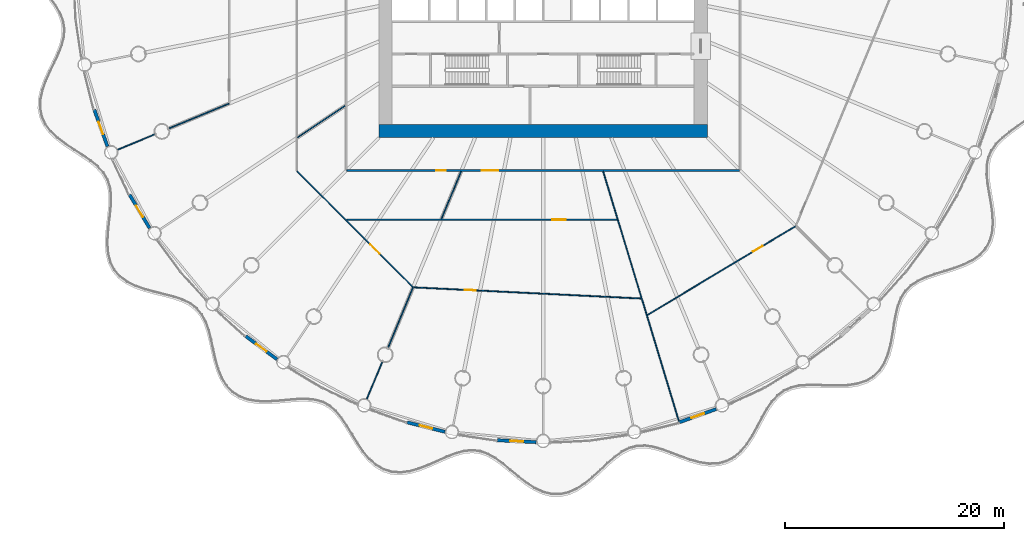
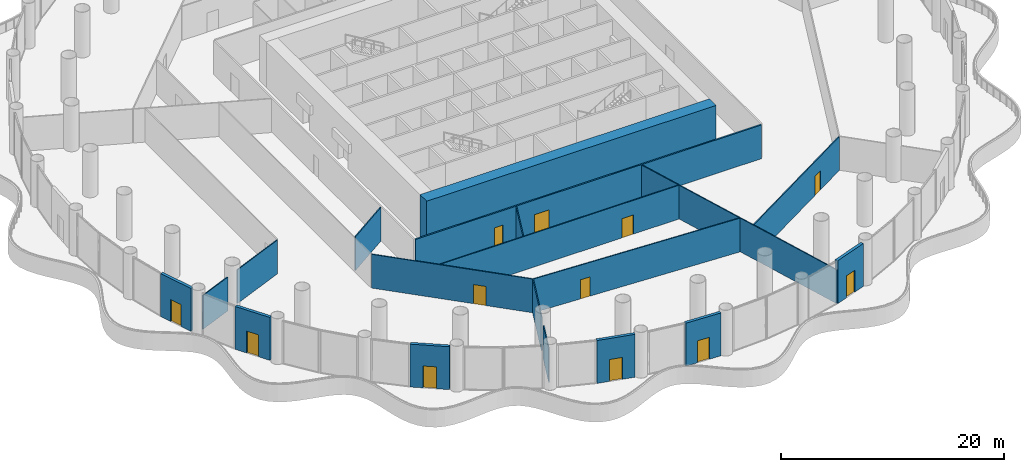
# One storey, part 22 of 35: 19 walls, 12 doors, 12 openings.
"""IFC4 building model written with IfcOpenShell, lengths in metres."""

from ifc_helpers import new_model, si_unit, direction, frame, frame_2d, origin, place, context, subcontext, project, spatial, rectangle, extrude, material, layer, layer_set, type_object, element, fill, save


model = new_model("IFC4")

# Units and contexts
model_context = context("Model", 3, precision=1e-05, world=origin(), true_north=direction((0.0, 1.0)))
body_context = subcontext(model_context, "Body", "Model", "MODEL_VIEW")
ifc_project = project(units=[si_unit("LENGTHUNIT", "METRE"), si_unit("AREAUNIT", "SQUARE_METRE"), si_unit("VOLUMEUNIT", "CUBIC_METRE"), si_unit("PLANEANGLEUNIT", "RADIAN"), si_unit("MASSUNIT", "GRAM", prefix="KILO")], contexts=[model_context])

# Site, building, storey
site_placement = place(None, origin())
site = spatial("IfcSite", under=ifc_project, at=site_placement, CompositionType="ELEMENT")
building_placement = place(site_placement, origin())
building = spatial("IfcBuilding", under=site, at=building_placement, Name="Corvane Civic Tower", CompositionType="ELEMENT")
storey_placement = place(building_placement, frame((0.0, 0.0, 27.0)))
storey = spatial("IfcBuildingStorey", under=building, at=storey_placement, Name="L05", CompositionType="ELEMENT", Elevation=27.0)

# Wall
ifc_material_1 = material(Name="Concrete C80/95", Category="concrete")
ifc_layer_1 = layer(ifc_material_1, 1.199951171875)
ifc_layer_set_1 = layer_set([ifc_layer_1], Name="Concrete C80/95")
wall_type_1 = type_object("IfcWallType", Name="CORE WALL 1200 C80/95", PredefinedType="SHEAR", material=ifc_layer_set_1)
wall_1_placement = place(storey_placement, frame((-15.0, -14.39990234375, 0.0), z_axis=(0.0, 0.0, 1.0), x_axis=(1.0, 0.0, 0.0)))
element("IfcWall", 1, at=wall_1_placement, inside=storey, type_object=wall_type_1, Name="W-L05-core-S", PredefinedType="SHEAR", context=body_context, shape_type="SweptSolid", body=[
    extrude(rectangle(XDim=30.0, YDim=1.199951171875, at=frame_2d((15.0, 0.0))), origin(), (0.0, 0.0, 1.0), 5.0),
])

# Wall, opening, door
ifc_material_2 = material(Name="Terracotta cladding", Category="masonry")
ifc_layer_2 = layer(ifc_material_2, 0.300048828125)
ifc_layer_set_2 = layer_set([ifc_layer_2], Name="Terracotta cladding")
wall_type_2 = type_object("IfcWallType", Name="PODIUM-W-DRUMDOOR-300", PredefinedType="SOLIDWALL", material=ifc_layer_set_2)
wall_2_placement = place(storey_placement, frame((15.80224609375, -39.80126953125, 0.0), z_axis=(0.0, 0.0, 1.0), x_axis=(-0.941550911926, -0.336870717414, 0.0)))
wall_2 = element("IfcWall", 2, at=wall_2_placement, inside=storey, type_object=wall_type_2, Name="L05 drum door bay wall 15", PredefinedType="SOLIDWALL", context=body_context, shape_type="SweptSolid", body=[
    extrude(rectangle(XDim=3.559814453125, YDim=0.300048828125, at=frame_2d((1.77978515625, 0.0))), origin(), (0.0, 0.0, 1.0), 4.699951171875),
])
opening_1_placement = place(wall_2_placement, frame((1.179931640625, 0.0, 0.0)))
opening_1 = element("IfcOpeningElement", 3, at=opening_1_placement, cuts=wall_2, Name="Opening ED-L05-15", PredefinedType="OPENING", context=body_context, shape_type="SweptSolid", body=[
    extrude(rectangle(XDim=1.199951171875, YDim=2.39990234375, at=frame_2d((0.60009765625, 1.199951171875))), frame((0.0, 0.159912109375, 0.0), z_axis=(0.0, -1.0, 0.0), x_axis=(1.0, 0.0, 0.0)), (0.0, 0.0, 1.0), 0.320068359375),
])
ifc_material_3 = material(Name="Anodised aluminium and glass", Category="aluminium")
door_type_1 = type_object("IfcDoorType", Name="PODIUM-D-BALCONY-1200", OperationType="SINGLE_SWING_LEFT", PredefinedType="DOOR", material=ifc_material_3)
door_1_placement = place(opening_1_placement, origin())
door_1 = element("IfcDoor", 4, at=door_1_placement, inside=storey, type_object=door_type_1, Name="L05 balcony door 15", OperationType="SINGLE_SWING_LEFT", OverallHeight=2.39990234375, OverallWidth=1.199951171875, PredefinedType="DOOR", context=body_context, shape_type="SweptSolid", body=[
    extrude(rectangle(XDim=1.199951171875, YDim=2.39990234375, at=frame_2d((0.60009765625, 1.199951171875))), frame((0.0, 0.02490234375, 0.0), z_axis=(0.0, -1.0, 0.0), x_axis=(1.0, 0.0, 0.0)), (0.0, 0.0, 1.0), 0.050048828125),
])
fill(opening_1, door_1)

wall_3_placement = place(storey_placement, frame((-0.6318359375, -42.81884765625, 0.0), z_axis=(0.0, 0.0, 1.0), x_axis=(-0.998793719427, 0.049103014495, 0.0)))
wall_3 = element("IfcWall", 5, at=wall_3_placement, inside=storey, type_object=wall_type_2, Name="L05 drum door bay wall 17", PredefinedType="SOLIDWALL", context=body_context, shape_type="SweptSolid", body=[
    extrude(rectangle(XDim=3.56005859375, YDim=0.300048828125, at=frame_2d((1.780029296875, 0.0))), origin(), (0.0, 0.0, 1.0), 4.699951171875),
])
opening_2_placement = place(wall_3_placement, frame((1.179931640625, 0.0, 0.0)))
opening_2 = element("IfcOpeningElement", 6, at=opening_2_placement, cuts=wall_3, Name="Opening ED-L05-17", PredefinedType="OPENING", context=body_context, shape_type="SweptSolid", body=[
    extrude(rectangle(XDim=1.199951171875, YDim=2.39990234375, at=frame_2d((0.60009765625, 1.199951171875))), frame((0.0, 0.159912109375, 0.0), z_axis=(0.0, -1.0, 0.0), x_axis=(1.0, 0.0, 0.0)), (0.0, 0.0, 1.0), 0.320068359375),
])
door_2_placement = place(opening_2_placement, origin())
door_2 = element("IfcDoor", 7, at=door_2_placement, inside=storey, type_object=door_type_1, Name="L05 balcony door 17", OperationType="SINGLE_SWING_LEFT", OverallHeight=2.39990234375, OverallWidth=1.199951171875, PredefinedType="DOOR", context=body_context, shape_type="SweptSolid", body=[
    extrude(rectangle(XDim=1.199951171875, YDim=2.39990234375, at=frame_2d((0.60009765625, 1.199951171875))), frame((0.0, 0.02490234375, 0.0), z_axis=(0.0, -1.0, 0.0), x_axis=(1.0, 0.0, 0.0)), (0.0, 0.0, 1.0), 0.050048828125),
])
fill(opening_2, door_2)

wall_4_placement = place(storey_placement, frame((-8.973388671875, -41.872802734375, 0.0), z_axis=(0.0, 0.0, 1.0), x_axis=(-0.970025385974, 0.243003601959, 0.0)))
wall_4 = element("IfcWall", 8, at=wall_4_placement, inside=storey, type_object=wall_type_2, Name="L05 drum door bay wall 18", PredefinedType="SOLIDWALL", context=body_context, shape_type="SweptSolid", body=[
    extrude(rectangle(XDim=3.5595703125, YDim=0.300048828125, at=frame_2d((1.77978515625, 0.0))), origin(), (0.0, 0.0, 1.0), 4.699951171875),
])
opening_3_placement = place(wall_4_placement, frame((1.179931640625, 0.0, 0.0)))
opening_3 = element("IfcOpeningElement", 9, at=opening_3_placement, cuts=wall_4, Name="Opening ED-L05-18", PredefinedType="OPENING", context=body_context, shape_type="SweptSolid", body=[
    extrude(rectangle(XDim=1.199951171875, YDim=2.39990234375, at=frame_2d((0.60009765625, 1.199951171875))), frame((0.0, 0.159912109375, 0.0), z_axis=(0.0, -1.0, 0.0), x_axis=(1.0, 0.0, 0.0)), (0.0, 0.0, 1.0), 0.320068359375),
])
door_3_placement = place(opening_3_placement, origin())
door_3 = element("IfcDoor", 10, at=door_3_placement, inside=storey, type_object=door_type_1, Name="L05 balcony door 18", OperationType="SINGLE_SWING_RIGHT", OverallHeight=2.39990234375, OverallWidth=1.199951171875, PredefinedType="DOOR", context=body_context, shape_type="SweptSolid", body=[
    extrude(rectangle(XDim=1.199951171875, YDim=2.39990234375, at=frame_2d((0.60009765625, 1.199951171875))), frame((0.0, 0.02490234375, 0.0), z_axis=(0.0, -1.0, 0.0), x_axis=(1.0, 0.0, 0.0)), (0.0, 0.0, 1.0), 0.050048828125),
])
fill(opening_3, door_3)

wall_5_placement = place(storey_placement, frame((-24.314208984375, -35.25146484375, 0.0), z_axis=(0.0, 0.0, 1.0), x_axis=(-0.803190124061, 0.595722774963, 0.0)))
wall_5 = element("IfcWall", 11, at=wall_5_placement, inside=storey, type_object=wall_type_2, Name="L05 drum door bay wall 20", PredefinedType="SOLIDWALL", context=body_context, shape_type="SweptSolid", body=[
    extrude(rectangle(XDim=3.559814453125, YDim=0.300048828125, at=frame_2d((1.77978515625, 0.0))), origin(), (0.0, 0.0, 1.0), 4.699951171875),
])
opening_4_placement = place(wall_5_placement, frame((1.179931640625, 0.0, 0.0)))
opening_4 = element("IfcOpeningElement", 12, at=opening_4_placement, cuts=wall_5, Name="Opening ED-L05-20", PredefinedType="OPENING", context=body_context, shape_type="SweptSolid", body=[
    extrude(rectangle(XDim=1.199951171875, YDim=2.39990234375, at=frame_2d((0.60009765625, 1.199951171875))), frame((0.0, 0.159912109375, 0.0), z_axis=(0.0, -1.0, 0.0), x_axis=(1.0, 0.0, 0.0)), (0.0, 0.0, 1.0), 0.320068359375),
])
door_4_placement = place(opening_4_placement, origin())
door_4 = element("IfcDoor", 13, at=door_4_placement, inside=storey, type_object=door_type_1, Name="L05 balcony door 20", OperationType="SINGLE_SWING_RIGHT", OverallHeight=2.39990234375, OverallWidth=1.199951171875, PredefinedType="DOOR", context=body_context, shape_type="SweptSolid", body=[
    extrude(rectangle(XDim=1.199951171875, YDim=2.39990234375, at=frame_2d((0.60009765625, 1.199951171875))), frame((0.0, 0.02490234375, 0.0), z_axis=(0.0, -1.0, 0.0), x_axis=(1.0, 0.0, 0.0)), (0.0, 0.0, 1.0), 0.050048828125),
])
fill(opening_4, door_4)

wall_6_placement = place(storey_placement, frame((-35.95361328125, -23.26318359375, 0.0), z_axis=(0.0, 0.0, 1.0), x_axis=(-0.514142680525, 0.85770467182, 0.0)))
wall_6 = element("IfcWall", 14, at=wall_6_placement, inside=storey, type_object=wall_type_2, Name="L05 drum door bay wall 22", PredefinedType="SOLIDWALL", context=body_context, shape_type="SweptSolid", body=[
    extrude(rectangle(XDim=3.5595703125, YDim=0.300048828125, at=frame_2d((1.77978515625, 0.0))), origin(), (0.0, 0.0, 1.0), 4.699951171875),
])
opening_5_placement = place(wall_6_placement, frame((1.179931640625, 0.0, 0.0)))
opening_5 = element("IfcOpeningElement", 15, at=opening_5_placement, cuts=wall_6, Name="Opening ED-L05-22", PredefinedType="OPENING", context=body_context, shape_type="SweptSolid", body=[
    extrude(rectangle(XDim=1.199951171875, YDim=2.39990234375, at=frame_2d((0.60009765625, 1.199951171875))), frame((0.0, 0.159912109375, 0.0), z_axis=(0.0, -1.0, 0.0), x_axis=(1.0, 0.0, 0.0)), (0.0, 0.0, 1.0), 0.320068359375),
])
door_5_placement = place(opening_5_placement, origin())
door_5 = element("IfcDoor", 16, at=door_5_placement, inside=storey, type_object=door_type_1, Name="L05 balcony door 22", OperationType="SINGLE_SWING_RIGHT", OverallHeight=2.39990234375, OverallWidth=1.199951171875, PredefinedType="DOOR", context=body_context, shape_type="SweptSolid", body=[
    extrude(rectangle(XDim=1.199951171875, YDim=2.39990234375, at=frame_2d((0.60009765625, 1.199951171875))), frame((0.0, 0.02490234375, 0.0), z_axis=(0.0, -1.0, 0.0), x_axis=(1.0, 0.0, 0.0)), (0.0, 0.0, 1.0), 0.050048828125),
])
fill(opening_5, door_5)

wall_7_placement = place(storey_placement, frame((-39.80126953125, -15.80224609375, 0.0), z_axis=(0.0, 0.0, 1.0), x_axis=(-0.336870717414, 0.941550911926, 0.0)))
wall_7 = element("IfcWall", 17, at=wall_7_placement, inside=storey, type_object=wall_type_2, Name="L05 drum door bay wall 23", PredefinedType="SOLIDWALL", context=body_context, shape_type="SweptSolid", body=[
    extrude(rectangle(XDim=3.559814453125, YDim=0.300048828125, at=frame_2d((1.77978515625, 0.0))), origin(), (0.0, 0.0, 1.0), 4.699951171875),
])
opening_6_placement = place(wall_7_placement, frame((1.179931640625, 0.0, 0.0)))
opening_6 = element("IfcOpeningElement", 18, at=opening_6_placement, cuts=wall_7, Name="Opening ED-L05-23", PredefinedType="OPENING", context=body_context, shape_type="SweptSolid", body=[
    extrude(rectangle(XDim=1.199951171875, YDim=2.39990234375, at=frame_2d((0.60009765625, 1.199951171875))), frame((0.0, 0.159912109375, 0.0), z_axis=(0.0, -1.0, 0.0), x_axis=(1.0, 0.0, 0.0)), (0.0, 0.0, 1.0), 0.320068359375),
])
door_6_placement = place(opening_6_placement, origin())
door_6 = element("IfcDoor", 19, at=door_6_placement, inside=storey, type_object=door_type_1, Name="L05 balcony door 23", OperationType="SINGLE_SWING_LEFT", OverallHeight=2.39990234375, OverallWidth=1.199951171875, PredefinedType="DOOR", context=body_context, shape_type="SweptSolid", body=[
    extrude(rectangle(XDim=1.199951171875, YDim=2.39990234375, at=frame_2d((0.60009765625, 1.199951171875))), frame((0.0, 0.02490234375, 0.0), z_axis=(0.0, -1.0, 0.0), x_axis=(1.0, 0.0, 0.0)), (0.0, 0.0, 1.0), 0.050048828125),
])
fill(opening_6, door_6)

# Walls
ifc_material_4 = material(Name="Plasterboard")
ifc_layer_3 = layer(ifc_material_4, 0.10009765625)
ifc_layer_set_3 = layer_set([ifc_layer_3], Name="Plasterboard")
wall_type_3 = type_object("IfcWallType", Name="Partition 100 plasterboard on studs", PredefinedType="PARTITIONING", material=ifc_layer_set_3)
wall_8_placement = place(storey_placement, frame((5.4873046875, -18.089599609375, 0.0), z_axis=(0.0, 0.0, 1.0), x_axis=(0.290288039911, -0.956939315675, 0.0)))
element("IfcWall", 20, at=wall_8_placement, inside=storey, type_object=wall_type_3, Name="Partition L05.001", PredefinedType="PARTITIONING", context=body_context, shape_type="SweptSolid", body=[
    extrude(rectangle(XDim=24.046630859375, YDim=0.10009765625, at=frame_2d((12.0234375, 0.0))), origin(), (0.0, 0.0, 1.0), 3.699951171875),
])
wall_9_placement = place(storey_placement, frame((-16.107177734375, -38.88623046875, 0.0), z_axis=(0.0, 0.0, 1.0), x_axis=(0.382720914215, 0.92386400613, 0.0)))
element("IfcWall", 21, at=wall_9_placement, inside=storey, type_object=wall_type_3, Name="Partition L05.002", PredefinedType="PARTITIONING", context=body_context, shape_type="SweptSolid", body=[
    extrude(rectangle(XDim=3.68017578125, YDim=0.10009765625, at=frame_2d((1.840087890625, 0.0))), origin(), (0.0, 0.0, 1.0), 3.699951171875),
])
wall_10_placement = place(storey_placement, frame((-14.155517578125, -34.17431640625, 0.0), z_axis=(0.0, 0.0, 1.0), x_axis=(0.382684503206, 0.923879088954, 0.0)))
element("IfcWall", 22, at=wall_10_placement, inside=storey, type_object=wall_type_3, Name="Partition L05.003", PredefinedType="PARTITIONING", context=body_context, shape_type="SweptSolid", body=[
    extrude(rectangle(XDim=5.919189453125, YDim=0.10009765625, at=frame_2d((2.95947265625, 0.0))), origin(), (0.0, 0.0, 1.0), 3.699951171875),
])

# Wall, opening, door
wall_11_placement = place(storey_placement, frame((9.529296875, -31.199462890625, 0.0), z_axis=(0.0, 0.0, 1.0), x_axis=(0.857725242107, 0.514108363143, 0.0)))
wall_11 = element("IfcWall", 23, at=wall_11_placement, inside=storey, type_object=wall_type_3, Name="Partition L05.004", PredefinedType="PARTITIONING", context=body_context, shape_type="SweptSolid", body=[
    extrude(rectangle(XDim=15.757568359375, YDim=0.10009765625, at=frame_2d((7.87890625, 0.0))), origin(), (0.0, 0.0, 1.0), 3.699951171875),
])
opening_7_placement = place(wall_11_placement, frame((11.2451171875, 0.0, 0.0)))
opening_7 = element("IfcOpeningElement", 24, at=opening_7_placement, cuts=wall_11, Name="Opening L05.014", PredefinedType="OPENING", context=body_context, shape_type="SweptSolid", body=[
    extrude(rectangle(XDim=1.0, YDim=2.10009765625, at=frame_2d((0.5, 1.050048828125))), frame((0.0, 0.06005859375, 0.0), z_axis=(0.0, -1.0, 0.0), x_axis=(1.0, 0.0, 0.0)), (0.0, 0.0, 1.0), 0.1201171875),
])
ifc_material_5 = material(Name="Timber", Category="wood")
door_type_2 = type_object("IfcDoorType", Name="Single door 1000", OperationType="NOTDEFINED", PredefinedType="DOOR", material=ifc_material_5)
door_7_placement = place(opening_7_placement, frame((1.0, 0.0, 0.0), z_axis=(0.0, 0.0, 1.0), x_axis=(-1.0, 0.0, 0.0)))
door_7 = element("IfcDoor", 25, at=door_7_placement, inside=storey, type_object=door_type_2, Name="Door L05.014", OperationType="SINGLE_SWING_RIGHT", OverallHeight=2.10009765625, OverallWidth=1.0, PredefinedType="DOOR", context=body_context, shape_type="SweptSolid", body=[
    extrude(rectangle(XDim=1.0, YDim=2.10009765625, at=frame_2d((0.5, 1.050048828125))), frame((0.0, 0.02490234375, 0.0), z_axis=(0.0, -1.0, 0.0), x_axis=(1.0, 0.0, 0.0)), (0.0, 0.0, 1.0), 0.050048828125),
])
fill(opening_7, door_7)

wall_12_placement = place(storey_placement, frame((-11.841796875, -28.675048828125, 0.0), z_axis=(0.0, 0.0, 1.0), x_axis=(0.998795129422, -0.049074325692, 0.0)))
wall_12 = element("IfcWall", 26, at=wall_12_placement, inside=storey, type_object=wall_type_3, Name="Partition L05.006", PredefinedType="PARTITIONING", context=body_context, shape_type="SweptSolid", body=[
    extrude(rectangle(XDim=20.80517578125, YDim=0.10009765625, at=frame_2d((10.402587890625, 0.0))), origin(), (0.0, 0.0, 1.0), 3.699951171875),
])
opening_8_placement = place(wall_12_placement, frame((4.706298828125, 0.0, 0.0)))
opening_8 = element("IfcOpeningElement", 27, at=opening_8_placement, cuts=wall_12, Name="Opening L05.016", PredefinedType="OPENING", context=body_context, shape_type="SweptSolid", body=[
    extrude(rectangle(XDim=1.0, YDim=2.10009765625, at=frame_2d((0.5, 1.050048828125))), frame((0.0, 0.06005859375, 0.0), z_axis=(0.0, -1.0, 0.0), x_axis=(1.0, 0.0, 0.0)), (0.0, 0.0, 1.0), 0.1201171875),
])
door_8_placement = place(opening_8_placement, frame((1.0, 0.0, 0.0), z_axis=(0.0, 0.0, 1.0), x_axis=(-1.0, 0.0, 0.0)))
door_8 = element("IfcDoor", 28, at=door_8_placement, inside=storey, type_object=door_type_2, Name="Door L05.016", OperationType="SINGLE_SWING_LEFT", OverallHeight=2.10009765625, OverallWidth=1.0, PredefinedType="DOOR", context=body_context, shape_type="SweptSolid", body=[
    extrude(rectangle(XDim=1.0, YDim=2.10009765625, at=frame_2d((0.5, 1.050048828125))), frame((0.0, 0.02490234375, 0.0), z_axis=(0.0, -1.0, 0.0), x_axis=(1.0, 0.0, 0.0)), (0.0, 0.0, 1.0), 0.050048828125),
])
fill(opening_8, door_8)

wall_13_placement = place(storey_placement, frame((-22.4853515625, -18.06494140625, 0.0), z_axis=(0.0, 0.0, 1.0), x_axis=(0.707106781187, -0.707106781187, 0.0)))
wall_13 = element("IfcWall", 29, at=wall_13_placement, inside=storey, type_object=wall_type_3, Name="Partition L05.007", PredefinedType="PARTITIONING", context=body_context, shape_type="SweptSolid", body=[
    extrude(rectangle(XDim=14.969482421875, YDim=0.10009765625, at=frame_2d((7.48486328125, 0.0))), origin(), (0.0, 0.0, 1.0), 3.699951171875),
])
opening_9_placement = place(wall_13_placement, frame((9.462158203125, 0.0, 0.0)))
opening_9 = element("IfcOpeningElement", 30, at=opening_9_placement, cuts=wall_13, Name="Opening L05.019", PredefinedType="OPENING", context=body_context, shape_type="SweptSolid", body=[
    extrude(rectangle(XDim=1.199951171875, YDim=2.10009765625, at=frame_2d((0.60009765625, 1.050048828125))), frame((0.0, 0.06005859375, 0.0), z_axis=(0.0, -1.0, 0.0), x_axis=(1.0, 0.0, 0.0)), (0.0, 0.0, 1.0), 0.1201171875),
])
ifc_material_6 = material(Name="Timber", Category="wood")
door_type_3 = type_object("IfcDoorType", Name="Double door 1200", OperationType="NOTDEFINED", PredefinedType="DOOR", material=ifc_material_6)
door_9_placement = place(opening_9_placement, frame((1.199951171875, 0.0, 0.0), z_axis=(0.0, 0.0, 1.0), x_axis=(-1.0, 0.0, 0.0)))
door_9 = element("IfcDoor", 31, at=door_9_placement, inside=storey, type_object=door_type_3, Name="Door L05.019", OperationType="DOUBLE_DOOR_SINGLE_SWING", OverallHeight=2.10009765625, OverallWidth=1.199951171875, PredefinedType="DOOR", context=body_context, shape_type="SweptSolid", body=[
    extrude(rectangle(XDim=1.199951171875, YDim=2.10009765625, at=frame_2d((0.60009765625, 1.050048828125))), frame((0.0, 0.02490234375, 0.0), z_axis=(0.0, -1.0, 0.0), x_axis=(1.0, 0.0, 0.0)), (0.0, 0.0, 1.0), 0.050048828125),
])
fill(opening_9, door_9)

wall_14_placement = place(storey_placement, frame((-17.9296875, -22.5, 0.0), z_axis=(0.0, 0.0, 1.0), x_axis=(1.0, 0.0, 0.0)))
wall_14 = element("IfcWall", 32, at=wall_14_placement, inside=storey, type_object=wall_type_3, Name="Partition L05.010", PredefinedType="PARTITIONING", context=body_context, shape_type="SweptSolid", body=[
    extrude(rectangle(XDim=24.6875, YDim=0.10009765625, at=frame_2d((12.34375, 0.0))), origin(), (0.0, 0.0, 1.0), 3.699951171875),
])
opening_10_placement = place(wall_14_placement, frame((18.779296875, 0.0, 0.0)))
opening_10 = element("IfcOpeningElement", 33, at=opening_10_placement, cuts=wall_14, Name="Opening L05.018", PredefinedType="OPENING", context=body_context, shape_type="SweptSolid", body=[
    extrude(rectangle(XDim=1.199951171875, YDim=2.10009765625, at=frame_2d((0.60009765625, 1.050048828125))), frame((0.0, 0.06005859375, 0.0), z_axis=(0.0, -1.0, 0.0), x_axis=(1.0, 0.0, 0.0)), (0.0, 0.0, 1.0), 0.1201171875),
])
door_10_placement = place(opening_10_placement, frame((1.199951171875, 0.0, 0.0), z_axis=(0.0, 0.0, 1.0), x_axis=(-1.0, 0.0, 0.0)))
door_10 = element("IfcDoor", 34, at=door_10_placement, inside=storey, type_object=door_type_3, Name="Door L05.018", OperationType="DOUBLE_DOOR_SINGLE_SWING", OverallHeight=2.10009765625, OverallWidth=1.199951171875, PredefinedType="DOOR", context=body_context, shape_type="SweptSolid", body=[
    extrude(rectangle(XDim=1.199951171875, YDim=2.10009765625, at=frame_2d((0.60009765625, 1.050048828125))), frame((0.0, 0.02490234375, 0.0), z_axis=(0.0, -1.0, 0.0), x_axis=(1.0, 0.0, 0.0)), (0.0, 0.0, 1.0), 0.050048828125),
])
fill(opening_10, door_10)

# Walls
wall_15_placement = place(storey_placement, frame((-9.291259765625, -22.430908203125, 0.0), z_axis=(0.0, 0.0, 1.0), x_axis=(0.38267944941, 0.923881182295, 0.0)))
element("IfcWall", 35, at=wall_15_placement, inside=storey, type_object=wall_type_3, Name="Partition L05.011", PredefinedType="PARTITIONING", context=body_context, shape_type="SweptSolid", body=[
    extrude(rectangle(XDim=4.6943359375, YDim=0.10009765625, at=frame_2d((2.34716796875, 0.0))), origin(), (0.0, 0.0, 1.0), 3.699951171875),
])
wall_16_placement = place(storey_placement, frame((-38.885986328125, -16.107177734375, 0.0), z_axis=(0.0, 0.0, 1.0), x_axis=(0.923877746385, 0.382687744427, 0.0)))
element("IfcWall", 36, at=wall_16_placement, inside=storey, type_object=wall_type_3, Name="Partition L05.016", PredefinedType="PARTITIONING", context=body_context, shape_type="SweptSolid", body=[
    extrude(rectangle(XDim=3.6796875, YDim=0.10009765625, at=frame_2d((1.83984375, 0.0))), origin(), (0.0, 0.0, 1.0), 3.699951171875),
])
wall_17_placement = place(storey_placement, frame((-22.422119140625, -14.98193359375, 0.0), z_axis=(0.0, 0.0, 1.0), x_axis=(0.831478653578, 0.555556701557, 0.0)))
element("IfcWall", 37, at=wall_17_placement, inside=storey, type_object=wall_type_3, Name="Partition L05.017", PredefinedType="PARTITIONING", context=body_context, shape_type="SweptSolid", body=[
    extrude(rectangle(XDim=5.19482421875, YDim=0.10009765625, at=frame_2d((2.597412109375, 0.0))), origin(), (0.0, 0.0, 1.0), 3.699951171875),
])
wall_18_placement = place(storey_placement, frame((-34.17431640625, -14.155517578125, 0.0), z_axis=(0.0, 0.0, 1.0), x_axis=(0.923871584899, 0.382702619034, 0.0)))
element("IfcWall", 38, at=wall_18_placement, inside=storey, type_object=wall_type_3, Name="Partition L05.018", PredefinedType="PARTITIONING", context=body_context, shape_type="SweptSolid", body=[
    extrude(rectangle(XDim=5.920654296875, YDim=0.10009765625, at=frame_2d((2.96044921875, 0.0))), origin(), (0.0, 0.0, 1.0), 3.699951171875),
])

# Wall, openings, doors
ifc_material_7 = material(Name="Plasterboard")
ifc_layer_4 = layer(ifc_material_7, 0.14990234375)
ifc_layer_set_4 = layer_set([ifc_layer_4], Name="Plasterboard")
wall_type_4 = type_object("IfcWallType", Name="Tenancy wall 150 EI 60", PredefinedType="PARTITIONING", material=ifc_layer_set_4)
wall_19_placement = place(storey_placement, frame((-17.925048828125, -18.0, 0.0), z_axis=(0.0, 0.0, 1.0), x_axis=(1.0, 0.0, 0.0)))
wall_19 = element("IfcWall", 39, at=wall_19_placement, inside=storey, type_object=wall_type_4, Name="Partition L05.013", PredefinedType="PARTITIONING", context=body_context, shape_type="SweptSolid", body=[
    extrude(rectangle(XDim=35.85009765625, YDim=0.14990234375, at=frame_2d((17.925048828125, 0.0))), origin(), (0.0, 0.0, 1.0), 3.699951171875),
])
opening_11_placement = place(wall_19_placement, frame((12.340576171875, 0.0, 0.0)))
opening_11 = element("IfcOpeningElement", 40, at=opening_11_placement, cuts=wall_19, Name="Opening L05.020", PredefinedType="OPENING", context=body_context, shape_type="SweptSolid", body=[
    extrude(rectangle(XDim=1.5, YDim=2.10009765625, at=frame_2d((0.75, 1.050048828125))), frame((0.0, 0.0849609375, 0.0), z_axis=(0.0, -1.0, 0.0), x_axis=(1.0, 0.0, 0.0)), (0.0, 0.0, 1.0), 0.169921875),
])
opening_12_placement = place(wall_19_placement, frame((8.1474609375, 0.0, 0.0)))
opening_12 = element("IfcOpeningElement", 41, at=opening_12_placement, cuts=wall_19, Name="Opening L05.021", PredefinedType="OPENING", context=body_context, shape_type="SweptSolid", body=[
    extrude(rectangle(XDim=0.89990234375, YDim=2.10009765625, at=frame_2d((0.449951171875, 1.050048828125))), frame((0.0, 0.0849609375, 0.0), z_axis=(0.0, -1.0, 0.0), x_axis=(1.0, 0.0, 0.0)), (0.0, 0.0, 1.0), 0.169921875),
])
ifc_material_8 = material(Name="Steel and timber", Category="steel")
door_type_4 = type_object("IfcDoorType", Name="Fire door FD30S 900", OperationType="NOTDEFINED", PredefinedType="DOOR", material=ifc_material_8)
door_11_placement = place(opening_12_placement, frame((0.89990234375, 0.0, 0.0), z_axis=(0.0, 0.0, 1.0), x_axis=(-1.0, 0.0, 0.0)))
door_11 = element("IfcDoor", 42, at=door_11_placement, inside=storey, type_object=door_type_4, Name="Door L05.021", OperationType="SINGLE_SWING_LEFT", OverallHeight=2.10009765625, OverallWidth=0.89990234375, PredefinedType="DOOR", context=body_context, shape_type="SweptSolid", body=[
    extrude(rectangle(XDim=0.89990234375, YDim=2.10009765625, at=frame_2d((0.449951171875, 1.050048828125))), frame((0.0, 0.02490234375, 0.0), z_axis=(0.0, -1.0, 0.0), x_axis=(1.0, 0.0, 0.0)), (0.0, 0.0, 1.0), 0.050048828125),
])
fill(opening_12, door_11)
ifc_material_9 = material(Name="Steel and timber", Category="steel")
door_type_5 = type_object("IfcDoorType", Name="Fire door FD60 double 1500", OperationType="NOTDEFINED", PredefinedType="DOOR", material=ifc_material_9)
door_12_placement = place(opening_11_placement, frame((1.5, 0.0, 0.0), z_axis=(0.0, 0.0, 1.0), x_axis=(-1.0, 0.0, 0.0)))
door_12 = element("IfcDoor", 43, at=door_12_placement, inside=storey, type_object=door_type_5, Name="Door L05.020", OperationType="DOUBLE_DOOR_SINGLE_SWING", OverallHeight=2.10009765625, OverallWidth=1.5, PredefinedType="DOOR", context=body_context, shape_type="SweptSolid", body=[
    extrude(rectangle(XDim=1.5, YDim=2.10009765625, at=frame_2d((0.75, 1.050048828125))), frame((0.0, 0.02490234375, 0.0), z_axis=(0.0, -1.0, 0.0), x_axis=(1.0, 0.0, 0.0)), (0.0, 0.0, 1.0), 0.050048828125),
])
fill(opening_11, door_12)

save(model, "model.ifc")
